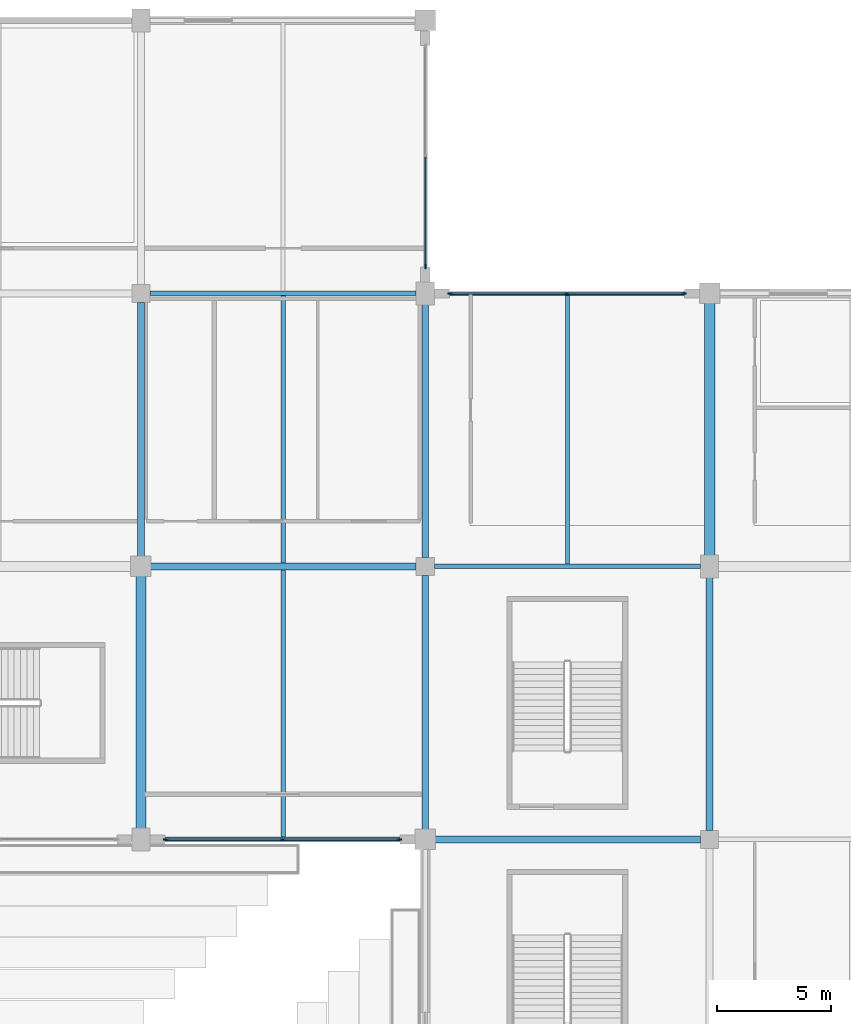
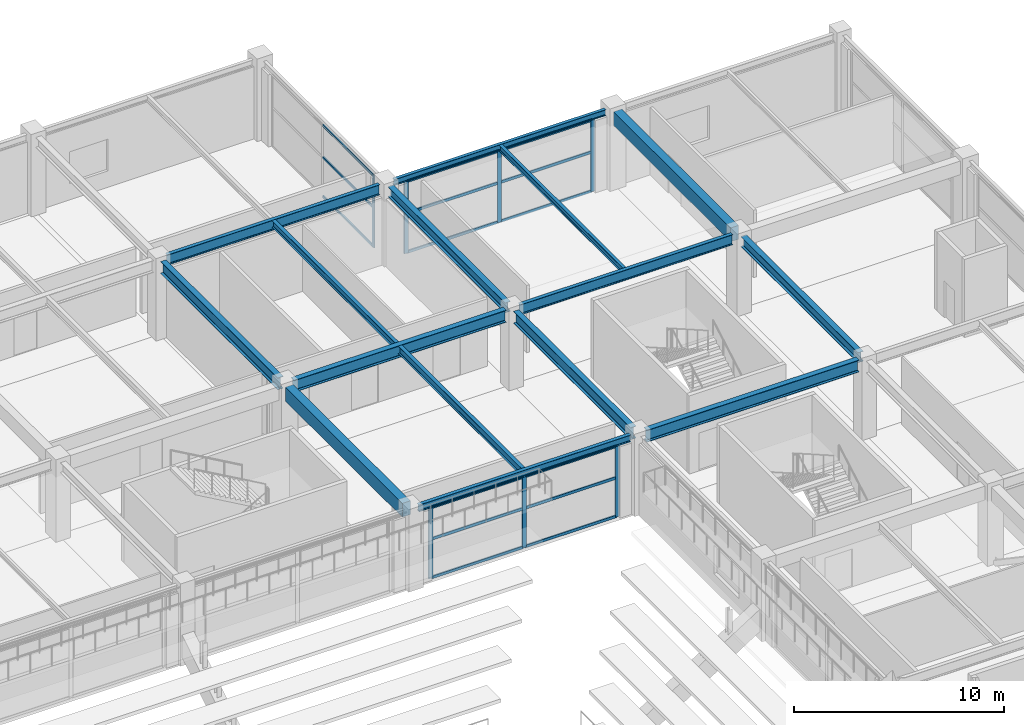
# One storey, part 61 of 134: 22 members, 15 beams, 3 elements without a shape of their own.
"""IFC4 building model written with IfcOpenShell, lengths in metres."""

from ifc_helpers import new_model, si_unit, direction, frame, origin, origin_2d, place, context, subcontext, project, spatial, rectangle, i_section, extrude, material, layer, layer_set, material_profile, profile_set, type_object, element, aggregate, save


model = new_model("IFC4")

# Units and contexts
model_context = context("Model", 3, precision=1e-05, world=origin(), true_north=direction((0.0, 1.0)))
body_context = subcontext(model_context, "Body", "Model", "MODEL_VIEW")
ifc_project = project(units=[si_unit("LENGTHUNIT", "METRE"), si_unit("AREAUNIT", "SQUARE_METRE"), si_unit("VOLUMEUNIT", "CUBIC_METRE"), si_unit("PLANEANGLEUNIT", "RADIAN"), si_unit("MASSUNIT", "GRAM", prefix="KILO")], contexts=[model_context])

# Site, building, storey
site_placement = place(None, origin())
site = spatial("IfcSite", under=ifc_project, at=site_placement, CompositionType="ELEMENT")
building_placement = place(site_placement, origin())
building = spatial("IfcBuilding", under=site, at=building_placement, Name="Kazenohara Klinker Stadium", CompositionType="ELEMENT")
storey_placement = place(building_placement, frame((0.0, 0.0, 5.39990234375)))
storey = spatial("IfcBuildingStorey", under=building, at=storey_placement, Name="L01", CompositionType="ELEMENT", Elevation=5.39990234375)

# Beams
ifc_material_1 = material(Name="Steel S355", Category="steel")
ifc_material_profile_1 = material_profile(ifc_material_1, i_section(OverallWidth=0.199951171875, OverallDepth=0.449951171875, WebThickness=0.009033203125, FlangeThickness=0.013916015625, FilletRadius=0.012939453125, at=origin_2d()), Name="H-450x200x9x14")
ifc_profile_set_1 = profile_set([ifc_material_profile_1], Name="Steel S355")
beam_type_1 = type_object("IfcBeamType", Name="BM-JST02", PredefinedType="JOIST", material=ifc_profile_set_1)
beam_1_placement = place(storey_placement, frame((168.75, 132.10009765625, 4.3251953125), z_axis=(0.0, 1.0, 0.0), x_axis=(-1.0, 0.0, 0.0)))
element("IfcBeam", 1, at=beam_1_placement, inside=storey, type_object=beam_type_1, Name="Secondary floor joist SJ02 L01 14/M", PredefinedType="JOIST", context=body_context, shape_type="SweptSolid", body=[
    extrude(i_section(OverallWidth=0.199951171875, OverallDepth=0.449951171875, WebThickness=0.009033203125, FlangeThickness=0.013916015625, FilletRadius=0.012939453125, at=origin_2d()), origin(), (0.0, 0.0, 1.0), 11.75),
])
ifc_material_profile_2 = material_profile(ifc_material_1, i_section(OverallWidth=0.199951171875, OverallDepth=0.39990234375, WebThickness=0.008056640625, FlangeThickness=0.012939453125, FilletRadius=0.012939453125, at=origin_2d()), Name="H-400x200x8x13")
ifc_profile_set_2 = profile_set([ifc_material_profile_2], Name="Steel S355")
beam_type_2 = type_object("IfcBeamType", Name="BM-JST03", PredefinedType="JOIST", material=ifc_profile_set_2)
beam_2_placement = place(storey_placement, frame((168.75, 144.14990234375, 4.35009765625), z_axis=(0.0, 1.0, 0.0), x_axis=(-1.0, 0.0, 0.0)))
element("IfcBeam", 2, at=beam_2_placement, inside=storey, type_object=beam_type_2, Name="Secondary floor joist SJ03 L01 14/N", PredefinedType="JOIST", context=body_context, shape_type="SweptSolid", body=[
    extrude(i_section(OverallWidth=0.199951171875, OverallDepth=0.39990234375, WebThickness=0.008056640625, FlangeThickness=0.012939453125, FilletRadius=0.012939453125, at=origin_2d()), origin(), (0.0, 0.0, 1.0), 11.75),
])
ifc_material_profile_3 = material_profile(ifc_material_1, i_section(OverallWidth=0.175048828125, OverallDepth=0.35009765625, WebThickness=0.007080078125, FlangeThickness=0.010986328125, FilletRadius=0.012939453125, at=origin_2d()), Name="H-350x175x7x11")
ifc_profile_set_3 = profile_set([ifc_material_profile_3], Name="Steel S355")
beam_type_3 = type_object("IfcBeamType", Name="BM-JST04", PredefinedType="JOIST", material=ifc_profile_set_3)
beam_3_placement = place(storey_placement, frame((181.25, 144.10009765625, 4.375), z_axis=(0.0, 1.0, 0.0), x_axis=(-1.0, 0.0, 0.0)))
element("IfcBeam", 3, at=beam_3_placement, inside=storey, type_object=beam_type_3, Name="Secondary floor joist SJ04 L01 15/N", PredefinedType="JOIST", context=body_context, shape_type="SweptSolid", body=[
    extrude(i_section(OverallWidth=0.175048828125, OverallDepth=0.35009765625, WebThickness=0.007080078125, FlangeThickness=0.010986328125, FilletRadius=0.012939453125, at=origin_2d()), origin(), (0.0, 0.0, 1.0), 11.8125),
])
ifc_material_2 = material(Name="Concrete C40/50", Category="concrete")
ifc_material_profile_4 = material_profile(ifc_material_2, rectangle(XDim=0.449951171875, YDim=0.800048828125, at=origin_2d()), Name="RC-BM-450x800")
ifc_profile_set_4 = profile_set([ifc_material_profile_4], Name="Concrete C40/50")
beam_type_4 = type_object("IfcBeamType", Name="BM-RC03", PredefinedType="BEAM", material=ifc_profile_set_4)
for number, where, z_axis, x_axis, name in (
    (4, (162.5, 132.419921875, 4.150146484375), (0.0, 1.0, 0.0), (-1.0, 0.0, 0.0), "Primary girder BG03 L01 14/M-N"),
    (5, (187.5, 144.419921875, 4.150146484375), (0.0, 1.0, 0.0), (-1.0, 0.0, 0.0), "Primary girder BG03 L01 16/N-P"),
):
    element("IfcBeam", number, at=place(storey_placement, frame(where, z_axis=z_axis, x_axis=x_axis)), inside=storey, type_object=beam_type_4, Name=name, PredefinedType="BEAM", context=body_context, shape_type="SweptSolid", body=[
        extrude(rectangle(XDim=0.449951171875, YDim=0.800048828125, at=origin_2d()), origin(), (0.0, 0.0, 1.0), 11.16015625),
    ])
ifc_material_profile_5 = material_profile(ifc_material_1, i_section(OverallWidth=0.199951171875, OverallDepth=0.39990234375, WebThickness=0.008056640625, FlangeThickness=0.012939453125, FilletRadius=0.012939453125, at=origin_2d()), Name="H-400x200x8x13")
ifc_profile_set_5 = profile_set([ifc_material_profile_5], Name="Steel S355")
beam_type_5 = type_object("IfcBeamType", Name="BM-SPD01", PredefinedType="SPANDREL", material=ifc_profile_set_5)
beam_4_placement = place(storey_placement, frame((162.89990234375, 132.0, 4.35009765625), z_axis=(1.0, 0.0, 0.0), x_axis=(0.0, 1.0, 0.0)))
element("IfcBeam", 6, at=beam_4_placement, inside=storey, type_object=beam_type_5, Name="Primary girder SP01 L01 14-15/M", PredefinedType="SPANDREL", context=body_context, shape_type="SweptSolid", body=[
    extrude(i_section(OverallWidth=0.199951171875, OverallDepth=0.39990234375, WebThickness=0.008056640625, FlangeThickness=0.012939453125, FilletRadius=0.012939453125, at=origin_2d()), origin(), (0.0, 0.0, 1.0), 11.68017578125),
])
ifc_material_profile_6 = material_profile(ifc_material_1, i_section(OverallWidth=0.175048828125, OverallDepth=0.35009765625, WebThickness=0.007080078125, FlangeThickness=0.010986328125, FilletRadius=0.012939453125, at=origin_2d()), Name="H-350x175x7x11")
ifc_profile_set_6 = profile_set([ifc_material_profile_6], Name="Steel S355")
beam_type_6 = type_object("IfcBeamType", Name="BM-SPD02", PredefinedType="SPANDREL", material=ifc_profile_set_6)
beam_5_placement = place(storey_placement, frame((175.39990234375, 156.0, 4.375), z_axis=(1.0, 0.0, 0.0), x_axis=(0.0, 1.0, 0.0)))
element("IfcBeam", 7, at=beam_5_placement, inside=storey, type_object=beam_type_6, Name="Primary girder SP02 L01 15-16/P", PredefinedType="SPANDREL", context=body_context, shape_type="SweptSolid", body=[
    extrude(i_section(OverallWidth=0.175048828125, OverallDepth=0.35009765625, WebThickness=0.007080078125, FlangeThickness=0.010986328125, FilletRadius=0.012939453125, at=origin_2d()), origin(), (0.0, 0.0, 1.0), 11.68017578125),
])
ifc_material_profile_7 = material_profile(ifc_material_1, i_section(OverallWidth=0.300048828125, OverallDepth=0.699951171875, WebThickness=0.012939453125, FlangeThickness=0.02392578125, FilletRadius=0.02197265625, at=origin_2d()), Name="H-700x300x13x24")
ifc_profile_set_7 = profile_set([ifc_material_profile_7], Name="Steel S355")
beam_type_7 = type_object("IfcBeamType", Name="BM-ST03", PredefinedType="BEAM", material=ifc_profile_set_7)
for number, where, z_axis, x_axis, name in (
    (8, (162.919921875, 144.0, 4.2001953125), (1.0, 0.0, 0.0), (0.0, 1.0, 0.0), "Primary girder SB03 L01 14-15/N"),
    (9, (175.419921875, 132.0, 4.2001953125), (1.0, 0.0, 0.0), (0.0, 1.0, 0.0), "Primary girder SB03 L01 15-16/M"),
):
    element("IfcBeam", number, at=place(storey_placement, frame(where, z_axis=z_axis, x_axis=x_axis)), inside=storey, type_object=beam_type_7, Name=name, PredefinedType="BEAM", context=body_context, shape_type="SweptSolid", body=[
        extrude(i_section(OverallWidth=0.300048828125, OverallDepth=0.699951171875, WebThickness=0.012939453125, FlangeThickness=0.02392578125, FilletRadius=0.02197265625, at=origin_2d()), origin(), (0.0, 0.0, 1.0), 11.68017578125),
    ])
for number, where, z_axis, x_axis, name in (
    (10, (162.5, 144.419921875, 4.2001953125), (0.0, 1.0, 0.0), (-1.0, 0.0, 0.0), "Primary girder SB03 L01 14/N-P"),
    (11, (175.0, 132.419921875, 4.2001953125), (0.0, 1.0, 0.0), (-1.0, 0.0, 0.0), "Primary girder SB03 L01 15/M-N"),
):
    element("IfcBeam", number, at=place(storey_placement, frame(where, z_axis=z_axis, x_axis=x_axis)), inside=storey, type_object=beam_type_7, Name=name, PredefinedType="BEAM", context=body_context, shape_type="SweptSolid", body=[
        extrude(i_section(OverallWidth=0.300048828125, OverallDepth=0.699951171875, WebThickness=0.012939453125, FlangeThickness=0.02392578125, FilletRadius=0.02197265625, at=origin_2d()), origin(), (0.0, 0.0, 1.0), 11.18017578125),
    ])
ifc_material_profile_8 = material_profile(ifc_material_1, i_section(OverallWidth=0.199951171875, OverallDepth=0.60009765625, WebThickness=0.010986328125, FlangeThickness=0.01708984375, FilletRadius=0.012939453125, at=origin_2d()), Name="H-600x200x11x17")
ifc_profile_set_8 = profile_set([ifc_material_profile_8], Name="Steel S355")
beam_type_8 = type_object("IfcBeamType", Name="BM-ST04", PredefinedType="BEAM", material=ifc_profile_set_8)
for number, where, z_axis, x_axis, name in (
    (12, (162.89990234375, 156.0, 4.25), (1.0, 0.0, 0.0), (0.0, 1.0, 0.0), "Primary girder SB04 L01 14-15/P"),
    (13, (175.39990234375, 144.0, 4.25), (1.0, 0.0, 0.0), (0.0, 1.0, 0.0), "Primary girder SB04 L01 15-16/N"),
):
    element("IfcBeam", number, at=place(storey_placement, frame(where, z_axis=z_axis, x_axis=x_axis)), inside=storey, type_object=beam_type_8, Name=name, PredefinedType="BEAM", context=body_context, shape_type="SweptSolid", body=[
        extrude(i_section(OverallWidth=0.199951171875, OverallDepth=0.60009765625, WebThickness=0.010986328125, FlangeThickness=0.01708984375, FilletRadius=0.012939453125, at=origin_2d()), origin(), (0.0, 0.0, 1.0), 11.7001953125),
    ])
ifc_material_profile_9 = material_profile(ifc_material_1, i_section(OverallWidth=0.300048828125, OverallDepth=0.587890625, WebThickness=0.011962890625, FlangeThickness=0.02001953125, FilletRadius=0.02197265625, at=origin_2d()), Name="H-588x300x12x20")
ifc_profile_set_9 = profile_set([ifc_material_profile_9], Name="Steel S355")
beam_type_9 = type_object("IfcBeamType", Name="BM-ST05", PredefinedType="BEAM", material=ifc_profile_set_9)
for number, where, z_axis, x_axis, name in (
    (14, (175.0, 144.39990234375, 4.256103515625), (0.0, 1.0, 0.0), (-1.0, 0.0, 0.0), "Primary girder SB05 L01 15/N-P"),
    (15, (187.5, 132.39990234375, 4.256103515625), (0.0, 1.0, 0.0), (-1.0, 0.0, 0.0), "Primary girder SB05 L01 16/M-N"),
):
    element("IfcBeam", number, at=place(storey_placement, frame(where, z_axis=z_axis, x_axis=x_axis)), inside=storey, type_object=beam_type_9, Name=name, PredefinedType="BEAM", context=body_context, shape_type="SweptSolid", body=[
        extrude(i_section(OverallWidth=0.300048828125, OverallDepth=0.587890625, WebThickness=0.011962890625, FlangeThickness=0.02001953125, FilletRadius=0.02197265625, at=origin_2d()), origin(), (0.0, 0.0, 1.0), 11.18017578125),
    ])

# Curtain wall, member
ifc_material_3 = material(Name="Anodised aluminium and triple glazing", Category="aluminium")
ifc_layer_1 = layer(ifc_material_3, 0.199951171875)
ifc_layer_set_1 = layer_set([ifc_layer_1], Name="Anodised aluminium and triple glazing")
curtain_wall_type_1 = type_object("IfcCurtainWallType", Name="CW-SYS-03", PredefinedType="USERDEFINED", material=ifc_layer_set_1)
curtain_wall_1_placement = place(storey_placement, origin())
curtain_wall_1 = element("IfcCurtainWall", 16, at=curtain_wall_1_placement, inside=storey, type_object=curtain_wall_type_1, Name="Unitised facade curtain wall CW03 L01 Y14-13", ObjectType="UNITISED CURTAIN WALL", PredefinedType="USERDEFINED")
ifc_material_4 = material(Name="Anodised aluminium 6063-T6", Category="aluminium")
ifc_material_profile_10 = material_profile(ifc_material_4, rectangle(XDim=0.06494140625, YDim=0.179931640625, at=origin_2d()), Name="ALU-MUL-65x180")
ifc_profile_set_10 = profile_set([ifc_material_profile_10], Name="Anodised aluminium 6063-T6")
member_type_1 = type_object("IfcMemberType", Name="CW-MUL-180", PredefinedType="MULLION", material=ifc_profile_set_10)
member_1_placement = place(storey_placement, frame((175.0, 157.1865234375, 0.0), z_axis=(0.0, 0.0, 1.0), x_axis=(-1.0, 0.0, 0.0)))
member_1 = element("IfcMember", 17, at=member_1_placement, type_object=member_type_1, Name="CW03 mullion 1", PredefinedType="MULLION", context=body_context, shape_type="SweptSolid", body=[
    extrude(rectangle(XDim=0.06494140625, YDim=0.179931640625, at=origin_2d()), origin(), (0.0, 0.0, 1.0), 4.2001953125),
])

# Curtain wall, members
ifc_layer_2 = layer(ifc_material_3, 0.179931640625)
ifc_layer_set_2 = layer_set([ifc_layer_2], Name="Anodised aluminium and triple glazing")
curtain_wall_type_2 = type_object("IfcCurtainWallType", Name="CW-SYS-02", PredefinedType="USERDEFINED", material=ifc_layer_set_2)
curtain_wall_2_placement = place(storey_placement, origin())
curtain_wall_2 = element("IfcCurtainWall", 18, at=curtain_wall_2_placement, inside=storey, type_object=curtain_wall_type_2, Name="Unitised facade curtain wall CW02 L01 X13-11", ObjectType="UNITISED CURTAIN WALL", PredefinedType="USERDEFINED")
ifc_material_profile_11 = material_profile(ifc_material_4, rectangle(XDim=0.074951171875, YDim=0.219970703125, at=origin_2d()), Name="ALU-MUL-75x220")
ifc_profile_set_11 = profile_set([ifc_material_profile_11], Name="Anodised aluminium 6063-T6")
member_type_2 = type_object("IfcMemberType", Name="CW-MUL-220", PredefinedType="MULLION", material=ifc_profile_set_11)
member_2_placement = place(storey_placement, frame((163.591552734375, 132.0, 0.0), z_axis=(0.0, 0.0, 1.0), x_axis=(0.0, 1.0, 0.0)))
member_2 = element("IfcMember", 19, at=member_2_placement, type_object=member_type_2, Name="CW02 mullion 1", PredefinedType="MULLION", context=body_context, shape_type="SweptSolid", body=[
    extrude(rectangle(XDim=0.074951171875, YDim=0.219970703125, at=origin_2d()), origin(), (0.0, 0.0, 1.0), 4.150146484375),
])
member_3_placement = place(storey_placement, frame((168.72509765625, 132.0, 0.0), z_axis=(0.0, 0.0, 1.0), x_axis=(0.0, 1.0, 0.0)))
member_3 = element("IfcMember", 20, at=member_3_placement, type_object=member_type_2, Name="CW02 mullion 2", PredefinedType="MULLION", context=body_context, shape_type="SweptSolid", body=[
    extrude(rectangle(XDim=0.074951171875, YDim=0.219970703125, at=origin_2d()), origin(), (0.0, 0.0, 1.0), 4.150146484375),
])
member_4_placement = place(storey_placement, frame((173.8583984375, 132.0, 0.0), z_axis=(0.0, 0.0, 1.0), x_axis=(0.0, 1.0, 0.0)))
member_4 = element("IfcMember", 21, at=member_4_placement, type_object=member_type_2, Name="CW02 mullion 3", PredefinedType="MULLION", context=body_context, shape_type="SweptSolid", body=[
    extrude(rectangle(XDim=0.074951171875, YDim=0.219970703125, at=origin_2d()), origin(), (0.0, 0.0, 1.0), 4.150146484375),
])

curtain_wall_3_placement = place(storey_placement, origin())
curtain_wall_3 = element("IfcCurtainWall", 22, at=curtain_wall_3_placement, inside=storey, type_object=curtain_wall_type_1, Name="Unitised facade curtain wall CW03 L01 X14-13", ObjectType="UNITISED CURTAIN WALL", PredefinedType="USERDEFINED")
member_5_placement = place(storey_placement, frame((176.091552734375, 156.0, 0.0), z_axis=(0.0, 0.0, 1.0), x_axis=(0.0, 1.0, 0.0)))
member_5 = element("IfcMember", 23, at=member_5_placement, type_object=member_type_2, Name="CW03 mullion 1", PredefinedType="MULLION", context=body_context, shape_type="SweptSolid", body=[
    extrude(rectangle(XDim=0.074951171875, YDim=0.219970703125, at=origin_2d()), origin(), (0.0, 0.0, 1.0), 4.2001953125),
])
member_6_placement = place(storey_placement, frame((181.22509765625, 156.0, 0.0), z_axis=(0.0, 0.0, 1.0), x_axis=(0.0, 1.0, 0.0)))
member_6 = element("IfcMember", 24, at=member_6_placement, type_object=member_type_2, Name="CW03 mullion 2", PredefinedType="MULLION", context=body_context, shape_type="SweptSolid", body=[
    extrude(rectangle(XDim=0.074951171875, YDim=0.219970703125, at=origin_2d()), origin(), (0.0, 0.0, 1.0), 4.2001953125),
])
member_7_placement = place(storey_placement, frame((186.3583984375, 156.0, 0.0), z_axis=(0.0, 0.0, 1.0), x_axis=(0.0, 1.0, 0.0)))
member_7 = element("IfcMember", 25, at=member_7_placement, type_object=member_type_2, Name="CW03 mullion 3", PredefinedType="MULLION", context=body_context, shape_type="SweptSolid", body=[
    extrude(rectangle(XDim=0.074951171875, YDim=0.219970703125, at=origin_2d()), origin(), (0.0, 0.0, 1.0), 4.2001953125),
])

# Member
ifc_material_profile_12 = material_profile(ifc_material_4, rectangle(XDim=0.06494140625, YDim=0.139892578125, at=origin_2d()), Name="ALU-TRN-65x140")
ifc_profile_set_12 = profile_set([ifc_material_profile_12], Name="Anodised aluminium 6063-T6")
member_type_3 = type_object("IfcMemberType", Name="CW-TRN-140", PredefinedType="USERDEFINED", material=ifc_profile_set_12)
member_8_placement = place(storey_placement, frame((175.0, 157.218994140625, 0.03271484375), z_axis=(0.0, 1.0, 0.0), x_axis=(-1.0, 0.0, 0.0)))
member_8 = element("IfcMember", 26, at=member_8_placement, type_object=member_type_3, Name="CW03 transom 1.1", ObjectType="TRANSOM", PredefinedType="USERDEFINED", context=body_context, shape_type="SweptSolid", body=[
    extrude(rectangle(XDim=0.06494140625, YDim=0.139892578125, at=origin_2d()), origin(), (0.0, 0.0, 1.0), 4.7734375),
])

member_9_placement = place(storey_placement, frame((175.0, 157.218994140625, 2.31005859375), z_axis=(0.0, 1.0, 0.0), x_axis=(-1.0, 0.0, 0.0)))
member_9 = element("IfcMember", 27, at=member_9_placement, type_object=member_type_3, Name="CW03 transom 1.2", ObjectType="TRANSOM", PredefinedType="USERDEFINED", context=body_context, shape_type="SweptSolid", body=[
    extrude(rectangle(XDim=0.06494140625, YDim=0.139892578125, at=origin_2d()), origin(), (0.0, 0.0, 1.0), 4.7734375),
])

member_10_placement = place(storey_placement, frame((175.0, 157.218994140625, 4.16748046875), z_axis=(0.0, 1.0, 0.0), x_axis=(-1.0, 0.0, 0.0)))
member_10 = element("IfcMember", 28, at=member_10_placement, type_object=member_type_3, Name="CW03 transom 1.3", ObjectType="TRANSOM", PredefinedType="USERDEFINED", context=body_context, shape_type="SweptSolid", body=[
    extrude(rectangle(XDim=0.06494140625, YDim=0.139892578125, at=origin_2d()), origin(), (0.0, 0.0, 1.0), 4.7734375),
])

aggregate(curtain_wall_1, [member_1, member_8, member_9, member_10])

ifc_material_profile_13 = material_profile(ifc_material_4, rectangle(XDim=0.074951171875, YDim=0.159912109375, at=origin_2d()), Name="ALU-TRN-75x160")
ifc_profile_set_13 = profile_set([ifc_material_profile_13], Name="Anodised aluminium 6063-T6")
member_type_4 = type_object("IfcMemberType", Name="CW-TRN-160", PredefinedType="USERDEFINED", material=ifc_profile_set_13)
member_11_placement = place(storey_placement, frame((163.62890625, 132.0, 0.03759765625), z_axis=(1.0, 0.0, 0.0), x_axis=(0.0, 1.0, 0.0)))
member_11 = element("IfcMember", 29, at=member_11_placement, type_object=member_type_4, Name="CW02 transom 1.1", ObjectType="TRANSOM", PredefinedType="USERDEFINED", context=body_context, shape_type="SweptSolid", body=[
    extrude(rectangle(XDim=0.074951171875, YDim=0.159912109375, at=origin_2d()), origin(), (0.0, 0.0, 1.0), 5.05859375),
])

member_12_placement = place(storey_placement, frame((163.62890625, 132.0, 2.28271484375), z_axis=(1.0, 0.0, 0.0), x_axis=(0.0, 1.0, 0.0)))
member_12 = element("IfcMember", 30, at=member_12_placement, type_object=member_type_4, Name="CW02 transom 1.2", ObjectType="TRANSOM", PredefinedType="USERDEFINED", context=body_context, shape_type="SweptSolid", body=[
    extrude(rectangle(XDim=0.074951171875, YDim=0.159912109375, at=origin_2d()), origin(), (0.0, 0.0, 1.0), 5.05859375),
])

member_13_placement = place(storey_placement, frame((163.62890625, 132.0, 4.112548828125), z_axis=(1.0, 0.0, 0.0), x_axis=(0.0, 1.0, 0.0)))
member_13 = element("IfcMember", 31, at=member_13_placement, type_object=member_type_4, Name="CW02 transom 1.3", ObjectType="TRANSOM", PredefinedType="USERDEFINED", context=body_context, shape_type="SweptSolid", body=[
    extrude(rectangle(XDim=0.074951171875, YDim=0.159912109375, at=origin_2d()), origin(), (0.0, 0.0, 1.0), 5.05859375),
])

member_14_placement = place(storey_placement, frame((168.762451171875, 132.0, 0.03759765625), z_axis=(1.0, 0.0, 0.0), x_axis=(0.0, 1.0, 0.0)))
member_14 = element("IfcMember", 32, at=member_14_placement, type_object=member_type_4, Name="CW02 transom 2.1", ObjectType="TRANSOM", PredefinedType="USERDEFINED", context=body_context, shape_type="SweptSolid", body=[
    extrude(rectangle(XDim=0.074951171875, YDim=0.159912109375, at=origin_2d()), origin(), (0.0, 0.0, 1.0), 5.05859375),
])

member_15_placement = place(storey_placement, frame((168.762451171875, 132.0, 2.28271484375), z_axis=(1.0, 0.0, 0.0), x_axis=(0.0, 1.0, 0.0)))
member_15 = element("IfcMember", 33, at=member_15_placement, type_object=member_type_4, Name="CW02 transom 2.2", ObjectType="TRANSOM", PredefinedType="USERDEFINED", context=body_context, shape_type="SweptSolid", body=[
    extrude(rectangle(XDim=0.074951171875, YDim=0.159912109375, at=origin_2d()), origin(), (0.0, 0.0, 1.0), 5.05859375),
])

member_16_placement = place(storey_placement, frame((168.762451171875, 132.0, 4.112548828125), z_axis=(1.0, 0.0, 0.0), x_axis=(0.0, 1.0, 0.0)))
member_16 = element("IfcMember", 34, at=member_16_placement, type_object=member_type_4, Name="CW02 transom 2.3", ObjectType="TRANSOM", PredefinedType="USERDEFINED", context=body_context, shape_type="SweptSolid", body=[
    extrude(rectangle(XDim=0.074951171875, YDim=0.159912109375, at=origin_2d()), origin(), (0.0, 0.0, 1.0), 5.05859375),
])

aggregate(curtain_wall_2, [member_2, member_3, member_4, member_11, member_12, member_13, member_14, member_15, member_16])

member_17_placement = place(storey_placement, frame((176.12890625, 156.0, 0.03759765625), z_axis=(1.0, 0.0, 0.0), x_axis=(0.0, 1.0, 0.0)))
member_17 = element("IfcMember", 35, at=member_17_placement, type_object=member_type_4, Name="CW03 transom 1.1", ObjectType="TRANSOM", PredefinedType="USERDEFINED", context=body_context, shape_type="SweptSolid", body=[
    extrude(rectangle(XDim=0.074951171875, YDim=0.159912109375, at=origin_2d()), origin(), (0.0, 0.0, 1.0), 5.05859375),
])

member_18_placement = place(storey_placement, frame((176.12890625, 156.0, 2.31005859375), z_axis=(1.0, 0.0, 0.0), x_axis=(0.0, 1.0, 0.0)))
member_18 = element("IfcMember", 36, at=member_18_placement, type_object=member_type_4, Name="CW03 transom 1.2", ObjectType="TRANSOM", PredefinedType="USERDEFINED", context=body_context, shape_type="SweptSolid", body=[
    extrude(rectangle(XDim=0.074951171875, YDim=0.159912109375, at=origin_2d()), origin(), (0.0, 0.0, 1.0), 5.05859375),
])

member_19_placement = place(storey_placement, frame((176.12890625, 156.0, 4.16259765625), z_axis=(1.0, 0.0, 0.0), x_axis=(0.0, 1.0, 0.0)))
member_19 = element("IfcMember", 37, at=member_19_placement, type_object=member_type_4, Name="CW03 transom 1.3", ObjectType="TRANSOM", PredefinedType="USERDEFINED", context=body_context, shape_type="SweptSolid", body=[
    extrude(rectangle(XDim=0.074951171875, YDim=0.159912109375, at=origin_2d()), origin(), (0.0, 0.0, 1.0), 5.05859375),
])

member_20_placement = place(storey_placement, frame((181.262451171875, 156.0, 0.03759765625), z_axis=(1.0, 0.0, 0.0), x_axis=(0.0, 1.0, 0.0)))
member_20 = element("IfcMember", 38, at=member_20_placement, type_object=member_type_4, Name="CW03 transom 2.1", ObjectType="TRANSOM", PredefinedType="USERDEFINED", context=body_context, shape_type="SweptSolid", body=[
    extrude(rectangle(XDim=0.074951171875, YDim=0.159912109375, at=origin_2d()), origin(), (0.0, 0.0, 1.0), 5.05859375),
])

member_21_placement = place(storey_placement, frame((181.262451171875, 156.0, 2.31005859375), z_axis=(1.0, 0.0, 0.0), x_axis=(0.0, 1.0, 0.0)))
member_21 = element("IfcMember", 39, at=member_21_placement, type_object=member_type_4, Name="CW03 transom 2.2", ObjectType="TRANSOM", PredefinedType="USERDEFINED", context=body_context, shape_type="SweptSolid", body=[
    extrude(rectangle(XDim=0.074951171875, YDim=0.159912109375, at=origin_2d()), origin(), (0.0, 0.0, 1.0), 5.05859375),
])

member_22_placement = place(storey_placement, frame((181.262451171875, 156.0, 4.16259765625), z_axis=(1.0, 0.0, 0.0), x_axis=(0.0, 1.0, 0.0)))
member_22 = element("IfcMember", 40, at=member_22_placement, type_object=member_type_4, Name="CW03 transom 2.3", ObjectType="TRANSOM", PredefinedType="USERDEFINED", context=body_context, shape_type="SweptSolid", body=[
    extrude(rectangle(XDim=0.074951171875, YDim=0.159912109375, at=origin_2d()), origin(), (0.0, 0.0, 1.0), 5.05859375),
])

aggregate(curtain_wall_3, [member_5, member_6, member_7, member_17, member_18, member_19, member_20, member_21, member_22])

save(model, "model.ifc")
